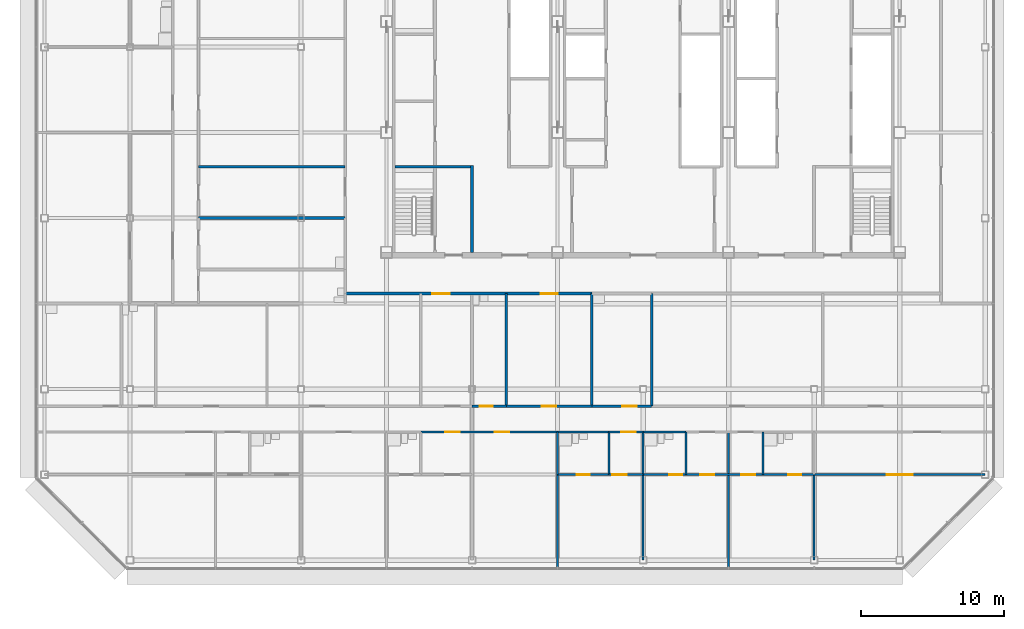
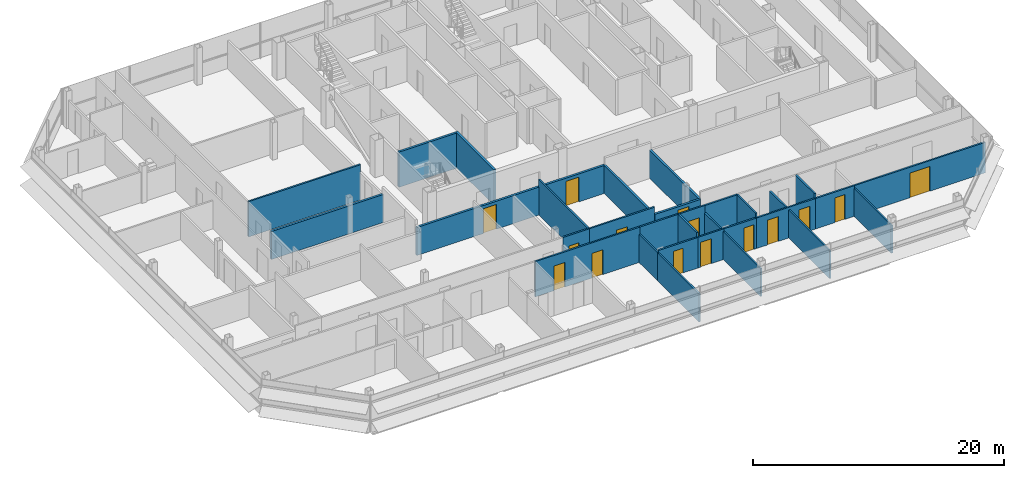
# One storey, part 22 of 28: 30 walls, 15 doors, 15 openings.
"""IFC4 building model written with IfcOpenShell, lengths in metres."""

from ifc_helpers import new_model, si_unit, direction, frame, frame_2d, origin, place, context, subcontext, project, spatial, rectangle, extrude, material, layer, layer_set, type_object, element, fill, save


model = new_model("IFC4")

# Units and contexts
model_context = context("Model", 3, precision=1e-05, world=origin(), true_north=direction((0.0, 1.0)))
body_context = subcontext(model_context, "Body", "Model", "MODEL_VIEW")
ifc_project = project(units=[si_unit("LENGTHUNIT", "METRE"), si_unit("AREAUNIT", "SQUARE_METRE"), si_unit("VOLUMEUNIT", "CUBIC_METRE"), si_unit("PLANEANGLEUNIT", "RADIAN"), si_unit("MASSUNIT", "GRAM", prefix="KILO")], contexts=[model_context])

# Site, building, storey
site_placement = place(None, origin())
site = spatial("IfcSite", under=ifc_project, at=site_placement, CompositionType="ELEMENT")
building_placement = place(site_placement, origin())
building = spatial("IfcBuilding", under=site, at=building_placement, Name="Sorahane Residences", CompositionType="ELEMENT")
storey_placement = place(building_placement, frame((0.0, 0.0, 305.199951171875)))
storey = spatial("IfcBuildingStorey", under=building, at=storey_placement, Name="L72", CompositionType="ELEMENT", Elevation=305.199951171875)

# Wall, openings, doors
ifc_material_1 = material(Name="Concrete blockwork C20 wall", Category="masonry")
ifc_layer_1 = layer(ifc_material_1, 0.199951171875)
ifc_layer_set_1 = layer_set([ifc_layer_1], Name="Corridor wall 200 EI 120")
wall_type_1 = type_object("IfcWallType", Name="Corridor wall 200 EI 120", PredefinedType="SOLIDWALL", material=ifc_layer_set_1)
wall_1_placement = place(storey_placement, frame((3.10009765625, 18.699951171875, 0.0), z_axis=(0.0, 0.0, 1.0), x_axis=(1.0, 0.0, 0.0)))
wall_1 = element("IfcWall", 1, at=wall_1_placement, inside=storey, type_object=wall_type_1, Name="L72 corridor wall", PredefinedType="SOLIDWALL", context=body_context, shape_type="SweptSolid", body=[
    extrude(rectangle(XDim=17.2998046875, YDim=0.199951171875, at=frame_2d((8.64990234375, 0.0))), origin(), (0.0, 0.0, 1.0), 2.719970703125),
])
opening_1_placement = place(wall_1_placement, frame((6.1201171875, 0.0, 0.0)))
opening_1 = element("IfcOpeningElement", 2, at=opening_1_placement, cuts=wall_1, Name="Opening L72-44", PredefinedType="OPENING", context=body_context, shape_type="SweptSolid", body=[
    extrude(rectangle(XDim=1.199951171875, YDim=2.39990234375, at=frame_2d((0.60009765625, 1.199951171875))), frame((0.0, 0.10986328125, 0.0), z_axis=(0.0, -1.0, 0.0), x_axis=(1.0, 0.0, 0.0)), (0.0, 0.0, 1.0), 0.219970703125),
])
opening_2_placement = place(wall_1_placement, frame((13.699951171875, 0.0, 0.0)))
opening_2 = element("IfcOpeningElement", 3, at=opening_2_placement, cuts=wall_1, Name="Opening L72-45", PredefinedType="OPENING", context=body_context, shape_type="SweptSolid", body=[
    extrude(rectangle(XDim=1.199951171875, YDim=2.39990234375, at=frame_2d((0.60009765625, 1.199951171875))), frame((0.0, 0.10986328125, 0.0), z_axis=(0.0, -1.0, 0.0), x_axis=(1.0, 0.0, 0.0)), (0.0, 0.0, 1.0), 0.219970703125),
])
ifc_material_2 = material(Name="Timber veneered fire door", Category="wood")
door_type_1 = type_object("IfcDoorType", Name="Flat entrance door 1200x2400 FD60", OperationType="NOTDEFINED", PredefinedType="DOOR", material=ifc_material_2)
door_1_placement = place(opening_1_placement, frame((1.199951171875, 0.0, 0.0), z_axis=(0.0, 0.0, 1.0), x_axis=(-1.0, 0.0, 0.0)))
door_1 = element("IfcDoor", 4, at=door_1_placement, inside=storey, type_object=door_type_1, Name="Flat entrance door L72-44", OperationType="SINGLE_SWING_LEFT", OverallHeight=2.39990234375, OverallWidth=1.199951171875, PredefinedType="DOOR", context=body_context, shape_type="SweptSolid", body=[
    extrude(rectangle(XDim=1.199951171875, YDim=2.39990234375, at=frame_2d((0.60009765625, 1.199951171875))), frame((0.0, 0.02490234375, 0.0), z_axis=(0.0, -1.0, 0.0), x_axis=(1.0, 0.0, 0.0)), (0.0, 0.0, 1.0), 0.050048828125),
])
fill(opening_1, door_1)
door_2_placement = place(opening_2_placement, frame((1.199951171875, 0.0, 0.0), z_axis=(0.0, 0.0, 1.0), x_axis=(-1.0, 0.0, 0.0)))
door_2 = element("IfcDoor", 5, at=door_2_placement, inside=storey, type_object=door_type_1, Name="Flat entrance door L72-45", OperationType="SINGLE_SWING_LEFT", OverallHeight=2.39990234375, OverallWidth=1.199951171875, PredefinedType="DOOR", context=body_context, shape_type="SweptSolid", body=[
    extrude(rectangle(XDim=1.199951171875, YDim=2.39990234375, at=frame_2d((0.60009765625, 1.199951171875))), frame((0.0, 0.02490234375, 0.0), z_axis=(0.0, -1.0, 0.0), x_axis=(1.0, 0.0, 0.0)), (0.0, 0.0, 1.0), 0.050048828125),
])
fill(opening_2, door_2)

# Walls
ifc_material_3 = material(Name="Concrete C30", Category="concrete")
ifc_layer_2 = layer(ifc_material_3, 0.199951171875)
ifc_layer_set_2 = layer_set([ifc_layer_2], Name="Front room wall 200 EI 120")
wall_type_2 = type_object("IfcWallType", Name="Front room wall 200 EI 120", PredefinedType="PARTITIONING", material=ifc_layer_set_2)
wall_2_placement = place(storey_placement, frame((12.0, 21.60009765625, 0.0), z_axis=(0.0, 0.0, 1.0), x_axis=(0.0, 1.0, 0.0)))
element("IfcWall", 6, at=wall_2_placement, inside=storey, type_object=wall_type_2, Name="L72 front room wall", PredefinedType="PARTITIONING", context=body_context, shape_type="SweptSolid", body=[
    extrude(rectangle(XDim=6.099853515625, YDim=0.199951171875, at=frame_2d((3.0498046875, 0.0))), origin(), (0.0, 0.0, 1.0), 3.420166015625),
])
ifc_material_4 = material(Name="Concrete blockwork C20 wall", Category="masonry")
ifc_layer_3 = layer(ifc_material_4, 0.199951171875)
ifc_layer_set_3 = layer_set([ifc_layer_3], Name="Kitchen wall 200 EI 180")
wall_type_3 = type_object("IfcWallType", Name="Kitchen wall 200 EI 180", PredefinedType="SOLIDWALL", material=ifc_layer_set_3)
for number, where, z_axis, x_axis, name in (
    (7, (20.39990234375, 10.800048828125, 0.0), (0.0, 0.0, 1.0), (0.0, 1.0, 0.0), "L72 kitchen wall"),
    (8, (24.60009765625, 10.800048828125, 0.0), (0.0, 0.0, 1.0), (0.0, 1.0, 0.0), "L72 kitchen wall"),
):
    element("IfcWall", number, at=place(storey_placement, frame(where, z_axis=z_axis, x_axis=x_axis)), inside=storey, type_object=wall_type_3, Name=name, PredefinedType="SOLIDWALL", context=body_context, shape_type="SweptSolid", body=[
        extrude(rectangle(XDim=7.89990234375, YDim=0.199951171875, at=frame_2d((3.949951171875, 0.0))), origin(), (0.0, 0.0, 1.0), 2.719970703125),
    ])

# Wall, opening, door
wall_3_placement = place(storey_placement, frame((20.39990234375, 10.800048828125, 0.0), z_axis=(0.0, 0.0, 1.0), x_axis=(1.0, 0.0, 0.0)))
wall_3 = element("IfcWall", 9, at=wall_3_placement, inside=storey, type_object=wall_type_3, Name="L72 kitchen wall", PredefinedType="SOLIDWALL", context=body_context, shape_type="SweptSolid", body=[
    extrude(rectangle(XDim=4.2001953125, YDim=0.199951171875, at=frame_2d((2.10009765625, 0.0))), origin(), (0.0, 0.0, 1.0), 2.719970703125),
])
opening_3_placement = place(wall_3_placement, frame((2.139892578125, 0.0, 0.0)))
opening_3 = element("IfcOpeningElement", 10, at=opening_3_placement, cuts=wall_3, Name="Opening L72-17", PredefinedType="OPENING", context=body_context, shape_type="SweptSolid", body=[
    extrude(rectangle(XDim=1.0, YDim=2.39990234375, at=frame_2d((0.5, 1.199951171875))), frame((0.0, 0.10986328125, 0.0), z_axis=(0.0, -1.0, 0.0), x_axis=(1.0, 0.0, 0.0)), (0.0, 0.0, 1.0), 0.219970703125),
])
ifc_material_5 = material(Name="Steel", Category="steel")
door_type_2 = type_object("IfcDoorType", Name="Kitchen door 1000x2400 FD120", OperationType="NOTDEFINED", PredefinedType="DOOR", material=ifc_material_5)
door_3_placement = place(opening_3_placement, origin())
door_3 = element("IfcDoor", 11, at=door_3_placement, inside=storey, type_object=door_type_2, Name="Kitchen door L72-17", OperationType="SINGLE_SWING_RIGHT", OverallHeight=2.39990234375, OverallWidth=1.0, PredefinedType="DOOR", context=body_context, shape_type="SweptSolid", body=[
    extrude(rectangle(XDim=1.0, YDim=2.39990234375, at=frame_2d((0.5, 1.199951171875))), frame((0.0, 0.02490234375, 0.0), z_axis=(0.0, -1.0, 0.0), x_axis=(1.0, 0.0, 0.0)), (0.0, 0.0, 1.0), 0.050048828125),
])
fill(opening_3, door_3)

# Walls
wall_4_placement = place(storey_placement, frame((-7.199951171875, 24.0, 0.0), z_axis=(0.0, 0.0, 1.0), x_axis=(1.0, 0.0, 0.0)))
element("IfcWall", 12, at=wall_4_placement, inside=storey, type_object=wall_type_3, Name="L72 kitchen wall", PredefinedType="SOLIDWALL", context=body_context, shape_type="SweptSolid", body=[
    extrude(rectangle(XDim=10.300048828125, YDim=0.199951171875, at=frame_2d((5.14990234375, 0.0))), origin(), (0.0, 0.0, 1.0), 2.719970703125),
])
ifc_material_6 = material(Name="Gypsum board partition on steel studs", Category="steel")
ifc_layer_4 = layer(ifc_material_6, 0.14990234375)
ifc_layer_set_4 = layer_set([ifc_layer_4], Name="Partition 150 EI 90")
wall_type_4 = type_object("IfcWallType", Name="Partition 150 EI 90", PredefinedType="PARTITIONING", material=ifc_layer_set_4)
wall_5_placement = place(storey_placement, frame((18.0, -0.60009765625, 0.0), z_axis=(0.0, 0.0, 1.0), x_axis=(0.0, 1.0, 0.0)))
element("IfcWall", 13, at=wall_5_placement, inside=storey, type_object=wall_type_4, Name="L72 partition", PredefinedType="PARTITIONING", context=body_context, shape_type="SweptSolid", body=[
    extrude(rectangle(XDim=6.60009765625, YDim=0.14990234375, at=frame_2d((3.300048828125, 0.0))), origin(), (0.0, 0.0, 1.0), 2.719970703125),
])
wall_6_placement = place(storey_placement, frame((24.0, 0.0, 0.0), z_axis=(0.0, 0.0, 1.0), x_axis=(0.0, 1.0, 0.0)))
element("IfcWall", 14, at=wall_6_placement, inside=storey, type_object=wall_type_4, Name="L72 partition", PredefinedType="PARTITIONING", context=body_context, shape_type="SweptSolid", body=[
    extrude(rectangle(XDim=6.0, YDim=0.14990234375, at=frame_2d((3.0, 0.0))), origin(), (0.0, 0.0, 1.0), 2.719970703125),
])
wall_7_placement = place(storey_placement, frame((30.0, -0.60009765625, 0.0), z_axis=(0.0, 0.0, 1.0), x_axis=(0.0, 1.0, 0.0)))
element("IfcWall", 15, at=wall_7_placement, inside=storey, type_object=wall_type_4, Name="L72 partition", PredefinedType="PARTITIONING", context=body_context, shape_type="SweptSolid", body=[
    extrude(rectangle(XDim=9.60009765625, YDim=0.14990234375, at=frame_2d((4.800048828125, 0.0))), origin(), (0.0, 0.0, 1.0), 2.719970703125),
])
wall_8_placement = place(storey_placement, frame((36.0, 0.0, 0.0), z_axis=(0.0, 0.0, 1.0), x_axis=(0.0, 1.0, 0.0)))
element("IfcWall", 16, at=wall_8_placement, inside=storey, type_object=wall_type_4, Name="L72 partition", PredefinedType="PARTITIONING", context=body_context, shape_type="SweptSolid", body=[
    extrude(rectangle(XDim=6.0, YDim=0.14990234375, at=frame_2d((3.0, 0.0))), origin(), (0.0, 0.0, 1.0), 2.719970703125),
])

# Wall, opening, door
wall_9_placement = place(storey_placement, frame((14.39990234375, 10.800048828125, 0.0), z_axis=(0.0, 0.0, 1.0), x_axis=(1.0, 0.0, 0.0)))
wall_9 = element("IfcWall", 17, at=wall_9_placement, inside=storey, type_object=wall_type_4, Name="L72 partition", PredefinedType="PARTITIONING", context=body_context, shape_type="SweptSolid", body=[
    extrude(rectangle(XDim=6.0, YDim=0.14990234375, at=frame_2d((3.0, 0.0))), origin(), (0.0, 0.0, 1.0), 3.420166015625),
])
opening_4_placement = place(wall_9_placement, frame((2.5, 0.0, 0.0)))
opening_4 = element("IfcOpeningElement", 18, at=opening_4_placement, cuts=wall_9, Name="Opening L72-15", PredefinedType="OPENING", context=body_context, shape_type="SweptSolid", body=[
    extrude(rectangle(XDim=1.0, YDim=2.39990234375, at=frame_2d((0.5, 1.199951171875))), frame((0.0, 0.0849609375, 0.0), z_axis=(0.0, -1.0, 0.0), x_axis=(1.0, 0.0, 0.0)), (0.0, 0.0, 1.0), 0.169921875),
])
ifc_material_7 = material(Name="Timber veneered fire door", Category="wood")
door_type_3 = type_object("IfcDoorType", Name="Room door 1000x2400 FD30", OperationType="NOTDEFINED", PredefinedType="DOOR", material=ifc_material_7)
door_4_placement = place(opening_4_placement, frame((1.0, 0.0, 0.0), z_axis=(0.0, 0.0, 1.0), x_axis=(-1.0, 0.0, 0.0)))
door_4 = element("IfcDoor", 19, at=door_4_placement, inside=storey, type_object=door_type_3, Name="Room door L72-15", OperationType="SINGLE_SWING_RIGHT", OverallHeight=2.39990234375, OverallWidth=1.0, PredefinedType="DOOR", context=body_context, shape_type="SweptSolid", body=[
    extrude(rectangle(XDim=1.0, YDim=2.39990234375, at=frame_2d((0.5, 1.199951171875))), frame((0.0, 0.02490234375, 0.0), z_axis=(0.0, -1.0, 0.0), x_axis=(1.0, 0.0, 0.0)), (0.0, 0.0, 1.0), 0.050048828125),
])
fill(opening_4, door_4)

# Wall
wall_10_placement = place(storey_placement, frame((-7.199951171875, 27.60009765625, 0.0), z_axis=(0.0, 0.0, 1.0), x_axis=(1.0, 0.0, 0.0)))
element("IfcWall", 20, at=wall_10_placement, inside=storey, type_object=wall_type_4, Name="L72 partition", PredefinedType="PARTITIONING", context=body_context, shape_type="SweptSolid", body=[
    extrude(rectangle(XDim=10.300048828125, YDim=0.14990234375, at=frame_2d((5.14990234375, 0.0))), origin(), (0.0, 0.0, 1.0), 3.420166015625),
])

# Wall, opening, door
wall_11_placement = place(storey_placement, frame((21.60009765625, 6.0, 0.0), z_axis=(0.0, 0.0, 1.0), x_axis=(1.0, 0.0, 0.0)))
wall_11 = element("IfcWall", 21, at=wall_11_placement, inside=storey, type_object=wall_type_4, Name="L72 partition", PredefinedType="PARTITIONING", context=body_context, shape_type="SweptSolid", body=[
    extrude(rectangle(XDim=2.39990234375, YDim=0.14990234375, at=frame_2d((1.199951171875, 0.0))), origin(), (0.0, 0.0, 1.0), 2.969970703125),
])
opening_5_placement = place(wall_11_placement, frame((0.25, 0.0, 0.0)))
opening_5 = element("IfcOpeningElement", 22, at=opening_5_placement, cuts=wall_11, Name="Opening L72-25", PredefinedType="OPENING", context=body_context, shape_type="SweptSolid", body=[
    extrude(rectangle(XDim=1.0, YDim=2.39990234375, at=frame_2d((0.5, 1.199951171875))), frame((0.0, 0.0849609375, 0.0), z_axis=(0.0, -1.0, 0.0), x_axis=(1.0, 0.0, 0.0)), (0.0, 0.0, 1.0), 0.169921875),
])
door_5_placement = place(opening_5_placement, frame((1.0, 0.0, 0.0), z_axis=(0.0, 0.0, 1.0), x_axis=(-1.0, 0.0, 0.0)))
door_5 = element("IfcDoor", 23, at=door_5_placement, inside=storey, type_object=door_type_3, Name="Room door L72-25", OperationType="SINGLE_SWING_RIGHT", OverallHeight=2.39990234375, OverallWidth=1.0, PredefinedType="DOOR", context=body_context, shape_type="SweptSolid", body=[
    extrude(rectangle(XDim=1.0, YDim=2.39990234375, at=frame_2d((0.5, 1.199951171875))), frame((0.0, 0.02490234375, 0.0), z_axis=(0.0, -1.0, 0.0), x_axis=(1.0, 0.0, 0.0)), (0.0, 0.0, 1.0), 0.050048828125),
])
fill(opening_5, door_5)

# Wall, openings, doors
wall_12_placement = place(storey_placement, frame((27.0, 6.0, 0.0), z_axis=(0.0, 0.0, 1.0), x_axis=(1.0, 0.0, 0.0)))
wall_12 = element("IfcWall", 24, at=wall_12_placement, inside=storey, type_object=wall_type_4, Name="L72 partition", PredefinedType="PARTITIONING", context=body_context, shape_type="SweptSolid", body=[
    extrude(rectangle(XDim=5.39990234375, YDim=0.14990234375, at=frame_2d((2.699951171875, 0.0))), origin(), (0.0, 0.0, 1.0), 2.969970703125),
])
opening_6_placement = place(wall_12_placement, frame((1.0, 0.0, 0.0)))
opening_6 = element("IfcOpeningElement", 25, at=opening_6_placement, cuts=wall_12, Name="Opening L72-27", PredefinedType="OPENING", context=body_context, shape_type="SweptSolid", body=[
    extrude(rectangle(XDim=1.0, YDim=2.39990234375, at=frame_2d((0.5, 1.199951171875))), frame((0.0, 0.0849609375, 0.0), z_axis=(0.0, -1.0, 0.0), x_axis=(1.0, 0.0, 0.0)), (0.0, 0.0, 1.0), 0.169921875),
])
opening_7_placement = place(wall_12_placement, frame((3.8798828125, 0.0, 0.0)))
opening_7 = element("IfcOpeningElement", 26, at=opening_7_placement, cuts=wall_12, Name="Opening L72-29", PredefinedType="OPENING", context=body_context, shape_type="SweptSolid", body=[
    extrude(rectangle(XDim=1.0, YDim=2.39990234375, at=frame_2d((0.5, 1.199951171875))), frame((0.0, 0.0849609375, 0.0), z_axis=(0.0, -1.0, 0.0), x_axis=(1.0, 0.0, 0.0)), (0.0, 0.0, 1.0), 0.169921875),
])
door_6_placement = place(opening_6_placement, frame((1.0, 0.0, 0.0), z_axis=(0.0, 0.0, 1.0), x_axis=(-1.0, 0.0, 0.0)))
door_6 = element("IfcDoor", 27, at=door_6_placement, inside=storey, type_object=door_type_3, Name="Room door L72-27", OperationType="SINGLE_SWING_LEFT", OverallHeight=2.39990234375, OverallWidth=1.0, PredefinedType="DOOR", context=body_context, shape_type="SweptSolid", body=[
    extrude(rectangle(XDim=1.0, YDim=2.39990234375, at=frame_2d((0.5, 1.199951171875))), frame((0.0, 0.02490234375, 0.0), z_axis=(0.0, -1.0, 0.0), x_axis=(1.0, 0.0, 0.0)), (0.0, 0.0, 1.0), 0.050048828125),
])
fill(opening_6, door_6)
door_7_placement = place(opening_7_placement, frame((1.0, 0.0, 0.0), z_axis=(0.0, 0.0, 1.0), x_axis=(-1.0, 0.0, 0.0)))
door_7 = element("IfcDoor", 28, at=door_7_placement, inside=storey, type_object=door_type_3, Name="Room door L72-29", OperationType="SINGLE_SWING_LEFT", OverallHeight=2.39990234375, OverallWidth=1.0, PredefinedType="DOOR", context=body_context, shape_type="SweptSolid", body=[
    extrude(rectangle(XDim=1.0, YDim=2.39990234375, at=frame_2d((0.5, 1.199951171875))), frame((0.0, 0.02490234375, 0.0), z_axis=(0.0, -1.0, 0.0), x_axis=(1.0, 0.0, 0.0)), (0.0, 0.0, 1.0), 0.050048828125),
])
fill(opening_7, door_7)

# Wall, opening, door
wall_13_placement = place(storey_placement, frame((36.0, 6.0, 0.0), z_axis=(0.0, 0.0, 1.0), x_axis=(1.0, 0.0, 0.0)))
wall_13 = element("IfcWall", 29, at=wall_13_placement, inside=storey, type_object=wall_type_4, Name="L72 partition", PredefinedType="PARTITIONING", context=body_context, shape_type="SweptSolid", body=[
    extrude(rectangle(XDim=12.0, YDim=0.14990234375, at=frame_2d((6.0, 0.0))), origin(), (0.0, 0.0, 1.0), 2.969970703125),
])
opening_8_placement = place(wall_13_placement, frame((5.10009765625, 0.0, 0.0)))
opening_8 = element("IfcOpeningElement", 30, at=opening_8_placement, cuts=wall_13, Name="Opening L72-31", PredefinedType="OPENING", context=body_context, shape_type="SweptSolid", body=[
    extrude(rectangle(XDim=1.800048828125, YDim=2.39990234375, at=frame_2d((0.89990234375, 1.199951171875))), frame((0.0, 0.0849609375, 0.0), z_axis=(0.0, -1.0, 0.0), x_axis=(1.0, 0.0, 0.0)), (0.0, 0.0, 1.0), 0.169921875),
])
ifc_material_8 = material(Name="Timber veneered fire door", Category="wood")
door_type_4 = type_object("IfcDoorType", Name="Double door 1800x2400 FD30", OperationType="NOTDEFINED", PredefinedType="DOOR", material=ifc_material_8)
door_8_placement = place(opening_8_placement, frame((1.800048828125, 0.0, 0.0), z_axis=(0.0, 0.0, 1.0), x_axis=(-1.0, 0.0, 0.0)))
door_8 = element("IfcDoor", 31, at=door_8_placement, inside=storey, type_object=door_type_4, Name="Double door L72-31", OperationType="SINGLE_SWING_LEFT", OverallHeight=2.39990234375, OverallWidth=1.800048828125, PredefinedType="DOOR", context=body_context, shape_type="SweptSolid", body=[
    extrude(rectangle(XDim=1.800048828125, YDim=2.39990234375, at=frame_2d((0.89990234375, 1.199951171875))), frame((0.0, 0.02490234375, 0.0), z_axis=(0.0, -1.0, 0.0), x_axis=(1.0, 0.0, 0.0)), (0.0, 0.0, 1.0), 0.050048828125),
])
fill(opening_8, door_8)

# Wall, openings, doors
wall_14_placement = place(storey_placement, frame((8.39990234375, 9.0, 0.0), z_axis=(0.0, 0.0, 1.0), x_axis=(1.0, 0.0, 0.0)))
wall_14 = element("IfcWall", 32, at=wall_14_placement, inside=storey, type_object=wall_type_4, Name="L72 partition", PredefinedType="PARTITIONING", context=body_context, shape_type="SweptSolid", body=[
    extrude(rectangle(XDim=9.60009765625, YDim=0.14990234375, at=frame_2d((4.800048828125, 0.0))), origin(), (0.0, 0.0, 1.0), 3.420166015625),
])
opening_9_placement = place(wall_14_placement, frame((1.719970703125, 0.0, 0.0)))
opening_9 = element("IfcOpeningElement", 33, at=opening_9_placement, cuts=wall_14, Name="Opening L72-09", PredefinedType="OPENING", context=body_context, shape_type="SweptSolid", body=[
    extrude(rectangle(XDim=1.0, YDim=2.39990234375, at=frame_2d((0.5, 1.199951171875))), frame((0.0, 0.0849609375, 0.0), z_axis=(0.0, -1.0, 0.0), x_axis=(1.0, 0.0, 0.0)), (0.0, 0.0, 1.0), 0.169921875),
])
opening_10_placement = place(wall_14_placement, frame((5.199951171875, 0.0, 0.0)))
opening_10 = element("IfcOpeningElement", 34, at=opening_10_placement, cuts=wall_14, Name="Opening L72-20", PredefinedType="OPENING", context=body_context, shape_type="SweptSolid", body=[
    extrude(rectangle(XDim=1.0, YDim=2.39990234375, at=frame_2d((0.5, 1.199951171875))), frame((0.0, 0.0849609375, 0.0), z_axis=(0.0, -1.0, 0.0), x_axis=(1.0, 0.0, 0.0)), (0.0, 0.0, 1.0), 0.169921875),
])
door_9_placement = place(opening_9_placement, frame((1.0, 0.0, 0.0), z_axis=(0.0, 0.0, 1.0), x_axis=(-1.0, 0.0, 0.0)))
door_9 = element("IfcDoor", 35, at=door_9_placement, inside=storey, type_object=door_type_3, Name="Room door L72-09", OperationType="SINGLE_SWING_RIGHT", OverallHeight=2.39990234375, OverallWidth=1.0, PredefinedType="DOOR", context=body_context, shape_type="SweptSolid", body=[
    extrude(rectangle(XDim=1.0, YDim=2.39990234375, at=frame_2d((0.5, 1.199951171875))), frame((0.0, 0.02490234375, 0.0), z_axis=(0.0, -1.0, 0.0), x_axis=(1.0, 0.0, 0.0)), (0.0, 0.0, 1.0), 0.050048828125),
])
fill(opening_9, door_9)
door_10_placement = place(opening_10_placement, frame((1.0, 0.0, 0.0), z_axis=(0.0, 0.0, 1.0), x_axis=(-1.0, 0.0, 0.0)))
door_10 = element("IfcDoor", 36, at=door_10_placement, inside=storey, type_object=door_type_3, Name="Room door L72-20", OperationType="SINGLE_SWING_LEFT", OverallHeight=2.39990234375, OverallWidth=1.0, PredefinedType="DOOR", context=body_context, shape_type="SweptSolid", body=[
    extrude(rectangle(XDim=1.0, YDim=2.39990234375, at=frame_2d((0.5, 1.199951171875))), frame((0.0, 0.02490234375, 0.0), z_axis=(0.0, -1.0, 0.0), x_axis=(1.0, 0.0, 0.0)), (0.0, 0.0, 1.0), 0.050048828125),
])
fill(opening_10, door_10)

# Wall, opening, door
wall_15_placement = place(storey_placement, frame((21.60009765625, 9.0, 0.0), z_axis=(0.0, 0.0, 1.0), x_axis=(1.0, 0.0, 0.0)))
wall_15 = element("IfcWall", 37, at=wall_15_placement, inside=storey, type_object=wall_type_4, Name="L72 partition", PredefinedType="PARTITIONING", context=body_context, shape_type="SweptSolid", body=[
    extrude(rectangle(XDim=2.39990234375, YDim=0.14990234375, at=frame_2d((1.199951171875, 0.0))), origin(), (0.0, 0.0, 1.0), 3.420166015625),
])
opening_11_placement = place(wall_15_placement, frame((0.8798828125, 0.0, 0.0)))
opening_11 = element("IfcOpeningElement", 38, at=opening_11_placement, cuts=wall_15, Name="Opening L72-21", PredefinedType="OPENING", context=body_context, shape_type="SweptSolid", body=[
    extrude(rectangle(XDim=1.0, YDim=2.39990234375, at=frame_2d((0.5, 1.199951171875))), frame((0.0, 0.0849609375, 0.0), z_axis=(0.0, -1.0, 0.0), x_axis=(1.0, 0.0, 0.0)), (0.0, 0.0, 1.0), 0.169921875),
])
door_11_placement = place(opening_11_placement, frame((1.0, 0.0, 0.0), z_axis=(0.0, 0.0, 1.0), x_axis=(-1.0, 0.0, 0.0)))
door_11 = element("IfcDoor", 39, at=door_11_placement, inside=storey, type_object=door_type_3, Name="Room door L72-21", OperationType="SINGLE_SWING_LEFT", OverallHeight=2.39990234375, OverallWidth=1.0, PredefinedType="DOOR", context=body_context, shape_type="SweptSolid", body=[
    extrude(rectangle(XDim=1.0, YDim=2.39990234375, at=frame_2d((0.5, 1.199951171875))), frame((0.0, 0.02490234375, 0.0), z_axis=(0.0, -1.0, 0.0), x_axis=(1.0, 0.0, 0.0)), (0.0, 0.0, 1.0), 0.050048828125),
])
fill(opening_11, door_11)

# Walls
ifc_material_9 = material(Name="Concrete C30", Category="concrete")
ifc_layer_5 = layer(ifc_material_9, 0.199951171875)
ifc_layer_set_5 = layer_set([ifc_layer_5], Name="Stair enclosure wall 200 EI 120")
wall_type_5 = type_object("IfcWallType", Name="Stair enclosure wall 200 EI 120", PredefinedType="SOLIDWALL", material=ifc_layer_set_5)
wall_16_placement = place(storey_placement, frame((6.60009765625, 27.60009765625, 0.0), z_axis=(0.0, 0.0, 1.0), x_axis=(1.0, 0.0, 0.0)))
element("IfcWall", 40, at=wall_16_placement, inside=storey, type_object=wall_type_5, Name="L72 stair enclosure wall", PredefinedType="SOLIDWALL", context=body_context, shape_type="SweptSolid", body=[
    extrude(rectangle(XDim=5.2998046875, YDim=0.199951171875, at=frame_2d((2.64990234375, 0.0))), origin(), (0.0, 0.0, 1.0), 3.420166015625),
])
ifc_material_10 = material(Name="Gypsum board partition on steel studs", Category="steel")
ifc_layer_6 = layer(ifc_material_10, 0.14990234375)
ifc_layer_set_6 = layer_set([ifc_layer_6], Name="Wet wall 150 EI 90")
wall_type_6 = type_object("IfcWallType", Name="Wet wall 150 EI 90", PredefinedType="PARTITIONING", material=ifc_layer_set_6)
wall_17_placement = place(storey_placement, frame((14.39990234375, 10.800048828125, 0.0), z_axis=(0.0, 0.0, 1.0), x_axis=(0.0, 1.0, 0.0)))
element("IfcWall", 41, at=wall_17_placement, inside=storey, type_object=wall_type_6, Name="L72 wet wall", PredefinedType="PARTITIONING", context=body_context, shape_type="SweptSolid", body=[
    extrude(rectangle(XDim=7.89990234375, YDim=0.14990234375, at=frame_2d((3.949951171875, 0.0))), origin(), (0.0, 0.0, 1.0), 3.420166015625),
])
wall_18_placement = place(storey_placement, frame((18.0, 6.0, 0.0), z_axis=(0.0, 0.0, 1.0), x_axis=(0.0, 1.0, 0.0)))
element("IfcWall", 42, at=wall_18_placement, inside=storey, type_object=wall_type_6, Name="L72 wet wall", PredefinedType="PARTITIONING", context=body_context, shape_type="SweptSolid", body=[
    extrude(rectangle(XDim=3.0, YDim=0.14990234375, at=frame_2d((1.5, 0.0))), origin(), (0.0, 0.0, 1.0), 2.719970703125),
])
wall_19_placement = place(storey_placement, frame((21.60009765625, 6.0, 0.0), z_axis=(0.0, 0.0, 1.0), x_axis=(0.0, 1.0, 0.0)))
element("IfcWall", 43, at=wall_19_placement, inside=storey, type_object=wall_type_6, Name="L72 wet wall", PredefinedType="PARTITIONING", context=body_context, shape_type="SweptSolid", body=[
    extrude(rectangle(XDim=3.0, YDim=0.14990234375, at=frame_2d((1.5, 0.0))), origin(), (0.0, 0.0, 1.0), 3.420166015625),
])
wall_20_placement = place(storey_placement, frame((24.0, 6.0, 0.0), z_axis=(0.0, 0.0, 1.0), x_axis=(0.0, 1.0, 0.0)))
element("IfcWall", 44, at=wall_20_placement, inside=storey, type_object=wall_type_6, Name="L72 wet wall", PredefinedType="PARTITIONING", context=body_context, shape_type="SweptSolid", body=[
    extrude(rectangle(XDim=3.0, YDim=0.14990234375, at=frame_2d((1.5, 0.0))), origin(), (0.0, 0.0, 1.0), 2.719970703125),
])
for number, where, z_axis, x_axis, name in (
    (45, (27.0, 6.0, 0.0), (0.0, 0.0, 1.0), (0.0, 1.0, 0.0), "L72 wet wall"),
    (46, (32.39990234375, 6.0, 0.0), (0.0, 0.0, 1.0), (0.0, 1.0, 0.0), "L72 wet wall"),
):
    element("IfcWall", number, at=place(storey_placement, frame(where, z_axis=z_axis, x_axis=x_axis)), inside=storey, type_object=wall_type_6, Name=name, PredefinedType="PARTITIONING", context=body_context, shape_type="SweptSolid", body=[
        extrude(rectangle(XDim=3.0, YDim=0.14990234375, at=frame_2d((1.5, 0.0))), origin(), (0.0, 0.0, 1.0), 3.420166015625),
    ])

# Wall, opening, door
wall_21_placement = place(storey_placement, frame((12.0, 10.800048828125, 0.0), z_axis=(0.0, 0.0, 1.0), x_axis=(1.0, 0.0, 0.0)))
wall_21 = element("IfcWall", 47, at=wall_21_placement, inside=storey, type_object=wall_type_6, Name="L72 wet wall", PredefinedType="PARTITIONING", context=body_context, shape_type="SweptSolid", body=[
    extrude(rectangle(XDim=2.39990234375, YDim=0.14990234375, at=frame_2d((1.199951171875, 0.0))), origin(), (0.0, 0.0, 1.0), 3.420166015625),
])
opening_12_placement = place(wall_21_placement, frame((0.550048828125, 0.0, 0.0)))
opening_12 = element("IfcOpeningElement", 48, at=opening_12_placement, cuts=wall_21, Name="Opening L72-16", PredefinedType="OPENING", context=body_context, shape_type="SweptSolid", body=[
    extrude(rectangle(XDim=0.89990234375, YDim=2.39990234375, at=frame_2d((0.449951171875, 1.199951171875))), frame((0.0, 0.0849609375, 0.0), z_axis=(0.0, -1.0, 0.0), x_axis=(1.0, 0.0, 0.0)), (0.0, 0.0, 1.0), 0.169921875),
])
ifc_material_11 = material(Name="Timber veneered fire door", Category="wood")
door_type_5 = type_object("IfcDoorType", Name="Bathroom door 900x2400 FD30", OperationType="NOTDEFINED", PredefinedType="DOOR", material=ifc_material_11)
door_12_placement = place(opening_12_placement, frame((0.89990234375, 0.0, 0.0), z_axis=(0.0, 0.0, 1.0), x_axis=(-1.0, 0.0, 0.0)))
door_12 = element("IfcDoor", 49, at=door_12_placement, inside=storey, type_object=door_type_5, Name="Bathroom door L72-16", OperationType="SINGLE_SWING_LEFT", OverallHeight=2.39990234375, OverallWidth=0.89990234375, PredefinedType="DOOR", context=body_context, shape_type="SweptSolid", body=[
    extrude(rectangle(XDim=0.89990234375, YDim=2.39990234375, at=frame_2d((0.449951171875, 1.199951171875))), frame((0.0, 0.02490234375, 0.0), z_axis=(0.0, -1.0, 0.0), x_axis=(1.0, 0.0, 0.0)), (0.0, 0.0, 1.0), 0.050048828125),
])
fill(opening_12, door_12)

wall_22_placement = place(storey_placement, frame((18.0, 6.0, 0.0), z_axis=(0.0, 0.0, 1.0), x_axis=(1.0, 0.0, 0.0)))
wall_22 = element("IfcWall", 50, at=wall_22_placement, inside=storey, type_object=wall_type_6, Name="L72 wet wall", PredefinedType="PARTITIONING", context=body_context, shape_type="SweptSolid", body=[
    extrude(rectangle(XDim=3.60009765625, YDim=0.14990234375, at=frame_2d((1.800048828125, 0.0))), origin(), (0.0, 0.0, 1.0), 2.969970703125),
])
opening_13_placement = place(wall_22_placement, frame((1.35009765625, 0.0, 0.0)))
opening_13 = element("IfcOpeningElement", 51, at=opening_13_placement, cuts=wall_22, Name="Opening L72-26", PredefinedType="OPENING", context=body_context, shape_type="SweptSolid", body=[
    extrude(rectangle(XDim=0.89990234375, YDim=2.39990234375, at=frame_2d((0.449951171875, 1.199951171875))), frame((0.0, 0.0849609375, 0.0), z_axis=(0.0, -1.0, 0.0), x_axis=(1.0, 0.0, 0.0)), (0.0, 0.0, 1.0), 0.169921875),
])
door_13_placement = place(opening_13_placement, frame((0.89990234375, 0.0, 0.0), z_axis=(0.0, 0.0, 1.0), x_axis=(-1.0, 0.0, 0.0)))
door_13 = element("IfcDoor", 52, at=door_13_placement, inside=storey, type_object=door_type_5, Name="Bathroom door L72-26", OperationType="SINGLE_SWING_RIGHT", OverallHeight=2.39990234375, OverallWidth=0.89990234375, PredefinedType="DOOR", context=body_context, shape_type="SweptSolid", body=[
    extrude(rectangle(XDim=0.89990234375, YDim=2.39990234375, at=frame_2d((0.449951171875, 1.199951171875))), frame((0.0, 0.02490234375, 0.0), z_axis=(0.0, -1.0, 0.0), x_axis=(1.0, 0.0, 0.0)), (0.0, 0.0, 1.0), 0.050048828125),
])
fill(opening_13, door_13)

wall_23_placement = place(storey_placement, frame((24.0, 6.0, 0.0), z_axis=(0.0, 0.0, 1.0), x_axis=(1.0, 0.0, 0.0)))
wall_23 = element("IfcWall", 53, at=wall_23_placement, inside=storey, type_object=wall_type_6, Name="L72 wet wall", PredefinedType="PARTITIONING", context=body_context, shape_type="SweptSolid", body=[
    extrude(rectangle(XDim=3.0, YDim=0.14990234375, at=frame_2d((1.5, 0.0))), origin(), (0.0, 0.0, 1.0), 2.969970703125),
])
opening_14_placement = place(wall_23_placement, frame((1.85009765625, 0.0, 0.0)))
opening_14 = element("IfcOpeningElement", 54, at=opening_14_placement, cuts=wall_23, Name="Opening L72-28", PredefinedType="OPENING", context=body_context, shape_type="SweptSolid", body=[
    extrude(rectangle(XDim=0.89990234375, YDim=2.39990234375, at=frame_2d((0.449951171875, 1.199951171875))), frame((0.0, 0.0849609375, 0.0), z_axis=(0.0, -1.0, 0.0), x_axis=(1.0, 0.0, 0.0)), (0.0, 0.0, 1.0), 0.169921875),
])
door_14_placement = place(opening_14_placement, frame((0.89990234375, 0.0, 0.0), z_axis=(0.0, 0.0, 1.0), x_axis=(-1.0, 0.0, 0.0)))
door_14 = element("IfcDoor", 55, at=door_14_placement, inside=storey, type_object=door_type_5, Name="Bathroom door L72-28", OperationType="SINGLE_SWING_RIGHT", OverallHeight=2.39990234375, OverallWidth=0.89990234375, PredefinedType="DOOR", context=body_context, shape_type="SweptSolid", body=[
    extrude(rectangle(XDim=0.89990234375, YDim=2.39990234375, at=frame_2d((0.449951171875, 1.199951171875))), frame((0.0, 0.02490234375, 0.0), z_axis=(0.0, -1.0, 0.0), x_axis=(1.0, 0.0, 0.0)), (0.0, 0.0, 1.0), 0.050048828125),
])
fill(opening_14, door_14)

wall_24_placement = place(storey_placement, frame((32.39990234375, 6.0, 0.0), z_axis=(0.0, 0.0, 1.0), x_axis=(1.0, 0.0, 0.0)))
wall_24 = element("IfcWall", 56, at=wall_24_placement, inside=storey, type_object=wall_type_6, Name="L72 wet wall", PredefinedType="PARTITIONING", context=body_context, shape_type="SweptSolid", body=[
    extrude(rectangle(XDim=3.60009765625, YDim=0.14990234375, at=frame_2d((1.800048828125, 0.0))), origin(), (0.0, 0.0, 1.0), 2.969970703125),
])
opening_15_placement = place(wall_24_placement, frame((1.7900390625, 0.0, 0.0)))
opening_15 = element("IfcOpeningElement", 57, at=opening_15_placement, cuts=wall_24, Name="Opening L72-30", PredefinedType="OPENING", context=body_context, shape_type="SweptSolid", body=[
    extrude(rectangle(XDim=0.89990234375, YDim=2.39990234375, at=frame_2d((0.449951171875, 1.199951171875))), frame((0.0, 0.0849609375, 0.0), z_axis=(0.0, -1.0, 0.0), x_axis=(1.0, 0.0, 0.0)), (0.0, 0.0, 1.0), 0.169921875),
])
door_15_placement = place(opening_15_placement, frame((0.89990234375, 0.0, 0.0), z_axis=(0.0, 0.0, 1.0), x_axis=(-1.0, 0.0, 0.0)))
door_15 = element("IfcDoor", 58, at=door_15_placement, inside=storey, type_object=door_type_5, Name="Bathroom door L72-30", OperationType="SINGLE_SWING_RIGHT", OverallHeight=2.39990234375, OverallWidth=0.89990234375, PredefinedType="DOOR", context=body_context, shape_type="SweptSolid", body=[
    extrude(rectangle(XDim=0.89990234375, YDim=2.39990234375, at=frame_2d((0.449951171875, 1.199951171875))), frame((0.0, 0.02490234375, 0.0), z_axis=(0.0, -1.0, 0.0), x_axis=(1.0, 0.0, 0.0)), (0.0, 0.0, 1.0), 0.050048828125),
])
fill(opening_15, door_15)

# Walls
wall_25_placement = place(storey_placement, frame((18.0, 9.0, 0.0), z_axis=(0.0, 0.0, 1.0), x_axis=(1.0, 0.0, 0.0)))
element("IfcWall", 59, at=wall_25_placement, inside=storey, type_object=wall_type_6, Name="L72 wet wall", PredefinedType="PARTITIONING", context=body_context, shape_type="SweptSolid", body=[
    extrude(rectangle(XDim=3.60009765625, YDim=0.14990234375, at=frame_2d((1.800048828125, 0.0))), origin(), (0.0, 0.0, 1.0), 3.420166015625),
])
wall_26_placement = place(storey_placement, frame((24.0, 9.0, 0.0), z_axis=(0.0, 0.0, 1.0), x_axis=(1.0, 0.0, 0.0)))
element("IfcWall", 60, at=wall_26_placement, inside=storey, type_object=wall_type_6, Name="L72 wet wall", PredefinedType="PARTITIONING", context=body_context, shape_type="SweptSolid", body=[
    extrude(rectangle(XDim=3.0, YDim=0.14990234375, at=frame_2d((1.5, 0.0))), origin(), (0.0, 0.0, 1.0), 3.420166015625),
])

save(model, "model.ifc")
